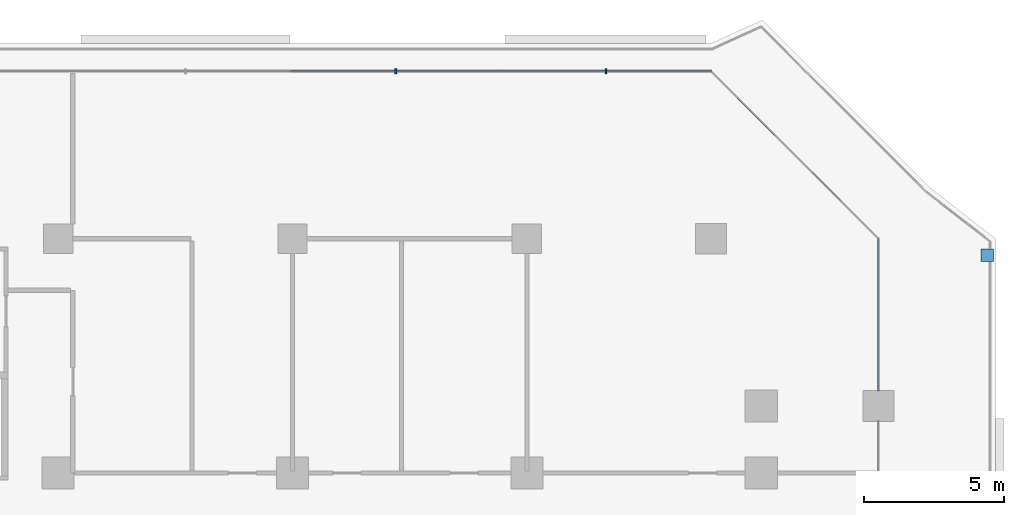
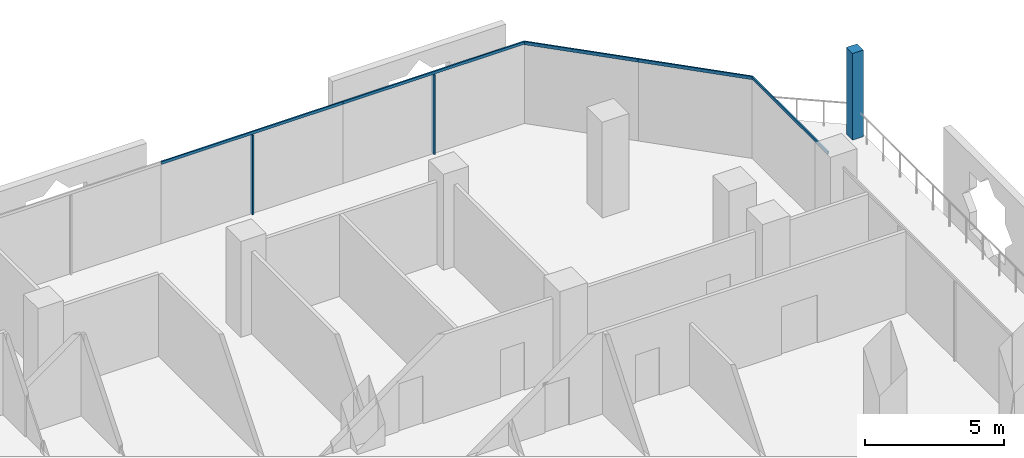
# One storey, part 10 of 25: 8 members, 4 elements without a shape of their own.
"""IFC4 building model written with IfcOpenShell, lengths in metres."""

from ifc_helpers import new_model, si_unit, direction, frame, origin, origin_2d, place, context, subcontext, project, spatial, rectangle, extrude, material, layer, layer_set, material_profile, profile_set, type_object, element, aggregate, save


model = new_model("IFC4")

# Units and contexts
model_context = context("Model", 3, precision=1e-05, world=origin(), true_north=direction((0.0, 1.0)))
body_context = subcontext(model_context, "Body", "Model", "MODEL_VIEW")
ifc_project = project(units=[si_unit("LENGTHUNIT", "METRE"), si_unit("AREAUNIT", "SQUARE_METRE"), si_unit("VOLUMEUNIT", "CUBIC_METRE"), si_unit("PLANEANGLEUNIT", "RADIAN"), si_unit("MASSUNIT", "GRAM", prefix="KILO")], contexts=[model_context])

# Site, building, storey
site_placement = place(None, origin())
site = spatial("IfcSite", under=ifc_project, at=site_placement, CompositionType="ELEMENT")
building_placement = place(site_placement, origin())
building = spatial("IfcBuilding", under=site, at=building_placement, Name="Kawkab Arch Medical Tower", CompositionType="ELEMENT")
storey_placement = place(building_placement, frame((0.0, 0.0, 98.800048828125)))
storey = spatial("IfcBuildingStorey", under=building, at=storey_placement, Name="L22", CompositionType="ELEMENT", Elevation=98.800048828125)

# Curtain wall, members
ifc_material_1 = material(Name="Bronze anodised aluminium curtain wall frame", Category="aluminium")
ifc_layer_1 = layer(ifc_material_1, 0.159912109375)
ifc_layer_set_1 = layer_set([ifc_layer_1], Name="Bronze anodised aluminium curtain wall frame")
curtain_wall_type_1 = type_object("IfcCurtainWallType", Name="CW1 ward curtain wall", PredefinedType="NOTDEFINED", material=ifc_layer_set_1)
placement = place(storey_placement, origin())
curtain_wall_1 = element("IfcCurtainWall", 1, at=placement, inside=storey, type_object=curtain_wall_type_1, Name="CW1 Ward curtain wall R11", PredefinedType="NOTDEFINED")
ifc_material_2 = material(Name="Bronze anodised aluminium curtain wall frame", Category="aluminium")
ifc_material_profile_1 = material_profile(ifc_material_2, rectangle(XDim=0.179931640625, YDim=0.06005859375, at=origin_2d()), Name="AL 60x180")
ifc_profile_set_1 = profile_set([ifc_material_profile_1], Name="Bronze anodised aluminium curtain wall frame")
member_type_1 = type_object("IfcMemberType", Name="CW1 mullion 60 x 180", PredefinedType="MULLION", material=ifc_profile_set_1)
member_1_placement = place(storey_placement, frame((70.033447265625, 6.0, 0.0), z_axis=(0.0, 0.0, 1.0), x_axis=(0.0, -1.0, 0.0)))
member_1 = element("IfcMember", 2, at=member_1_placement, type_object=member_type_1, Name="CW1 mullion 1.1", PredefinedType="MULLION", context=body_context, shape_type="SweptSolid", body=[
    extrude(rectangle(XDim=0.179931640625, YDim=0.06005859375, at=origin_2d()), origin(), (0.0, 0.0, 1.0), 3.47998046875),
])
member_2_placement = place(storey_placement, frame((62.5, 6.0, 0.0), z_axis=(0.0, 0.0, 1.0), x_axis=(0.0, -1.0, 0.0)))
member_2 = element("IfcMember", 3, at=member_2_placement, type_object=member_type_1, Name="CW1 mullion 2.1", PredefinedType="MULLION", context=body_context, shape_type="SweptSolid", body=[
    extrude(rectangle(XDim=0.179931640625, YDim=0.06005859375, at=origin_2d()), origin(), (0.0, 0.0, 1.0), 3.47998046875),
])

# Curtain wall, member
curtain_wall_2 = element("IfcCurtainWall", 4, at=placement, inside=storey, type_object=curtain_wall_type_1, Name="CW1 Ward curtain wall R09", PredefinedType="NOTDEFINED")
ifc_material_3 = material(Name="Bronze anodised aluminium curtain wall frame", Category="aluminium")
ifc_material_profile_2 = material_profile(ifc_material_3, rectangle(XDim=0.06005859375, YDim=0.1201171875, at=origin_2d()), Name="AL 60x120")
ifc_profile_set_2 = profile_set([ifc_material_profile_2], Name="Bronze anodised aluminium curtain wall frame")
member_type_2 = type_object("IfcMemberType", Name="CW1 transom 120 x 60", PredefinedType="USERDEFINED", material=ifc_profile_set_2)
member_3_placement = place(storey_placement, frame((79.800048828125, -5.449951171875, 3.5400390625), z_axis=(0.0, 1.0, 0.0), x_axis=(-1.0, 0.0, 0.0)))
member_3 = element("IfcMember", 5, at=member_3_placement, type_object=member_type_2, Name="CW1 transom 2", ObjectType="TRANSOM", PredefinedType="USERDEFINED", context=body_context, shape_type="SweptSolid", body=[
    extrude(rectangle(XDim=0.06005859375, YDim=0.1201171875, at=origin_2d()), origin(), (0.0, 0.0, 1.0), 5.449951171875),
])
aggregate(curtain_wall_2, [member_3])

# Member
member_4_placement = place(storey_placement, frame((73.800048828125, 6.0, 3.5400390625), z_axis=(-1.0, 0.0, 0.0), x_axis=(0.0, -1.0, 0.0)))
member_4 = element("IfcMember", 6, at=member_4_placement, type_object=member_type_2, Name="CW1 transom 1", ObjectType="TRANSOM", PredefinedType="USERDEFINED", context=body_context, shape_type="SweptSolid", body=[
    extrude(rectangle(XDim=0.06005859375, YDim=0.1201171875, at=origin_2d()), origin(), (0.0, 0.0, 1.0), 7.533447265625),
])

member_5_placement = place(storey_placement, frame((66.2666015625, 6.0, 3.5400390625), z_axis=(-1.0, 0.0, 0.0), x_axis=(0.0, -1.0, 0.0)))
member_5 = element("IfcMember", 7, at=member_5_placement, type_object=member_type_2, Name="CW1 transom 2", ObjectType="TRANSOM", PredefinedType="USERDEFINED", context=body_context, shape_type="SweptSolid", body=[
    extrude(rectangle(XDim=0.06005859375, YDim=0.1201171875, at=origin_2d()), origin(), (0.0, 0.0, 1.0), 7.533203125),
])

aggregate(curtain_wall_1, [member_4, member_1, member_5, member_2])

# Curtain wall, members
ifc_material_4 = material(Name="Bronze anodised aluminium curtain wall frame", Category="aluminium")
ifc_layer_2 = layer(ifc_material_4, 0.159912109375)
ifc_layer_set_2 = layer_set([ifc_layer_2], Name="Bronze anodised aluminium curtain wall frame")
curtain_wall_type_2 = type_object("IfcCurtainWallType", Name="CW2 chamfer curtain wall", PredefinedType="NOTDEFINED", material=ifc_layer_set_2)
curtain_wall_3 = element("IfcCurtainWall", 8, at=placement, inside=storey, type_object=curtain_wall_type_2, Name="CW2 Chamfer curtain wall R10", PredefinedType="NOTDEFINED")
ifc_material_5 = material(Name="Bronze anodised aluminium curtain wall frame", Category="aluminium")
ifc_material_profile_3 = material_profile(ifc_material_5, rectangle(XDim=0.06005859375, YDim=0.139892578125, at=origin_2d()), Name="AL 60x140")
ifc_profile_set_3 = profile_set([ifc_material_profile_3], Name="Bronze anodised aluminium curtain wall frame")
member_type_3 = type_object("IfcMemberType", Name="CW2 transom 140 x 60", PredefinedType="USERDEFINED", material=ifc_profile_set_3)
member_6_placement = place(storey_placement, frame((79.800048828125, 0.0, 3.530029296875), z_axis=(-0.707106781187, 0.707106781187, 0.0), x_axis=(-0.707106781187, -0.707106781187, 0.0)))
member_6 = element("IfcMember", 9, at=member_6_placement, type_object=member_type_3, Name="CW2 transom 1", ObjectType="TRANSOM", PredefinedType="USERDEFINED", context=body_context, shape_type="SweptSolid", body=[
    extrude(rectangle(XDim=0.06005859375, YDim=0.139892578125, at=origin_2d()), origin(), (0.0, 0.0, 1.0), 4.24267578125),
])
member_7_placement = place(storey_placement, frame((76.800048828125, 3.0, 3.530029296875), z_axis=(-0.707106781187, 0.707106781187, 0.0), x_axis=(-0.707106781187, -0.707106781187, 0.0)))
member_7 = element("IfcMember", 10, at=member_7_placement, type_object=member_type_3, Name="CW2 transom 2", ObjectType="TRANSOM", PredefinedType="USERDEFINED", context=body_context, shape_type="SweptSolid", body=[
    extrude(rectangle(XDim=0.06005859375, YDim=0.139892578125, at=origin_2d()), origin(), (0.0, 0.0, 1.0), 4.24267578125),
])
aggregate(curtain_wall_3, [member_6, member_7])

# Curtain wall, member
ifc_material_6 = material(Name="Bronze anodised aluminium climber frame, planted", Category="aluminium")
ifc_layer_3 = layer(ifc_material_6, 0.449951171875)
ifc_layer_set_3 = layer_set([ifc_layer_3], Name="Bronze anodised aluminium climber frame, planted")
curtain_wall_type_3 = type_object("IfcCurtainWallType", Name="Planted climber frame", PredefinedType="NOTDEFINED", material=ifc_layer_set_3)
curtain_wall_4 = element("IfcCurtainWall", 11, at=placement, inside=storey, type_object=curtain_wall_type_3, Name="Planted climber frame L22", PredefinedType="NOTDEFINED")
ifc_material_7 = material(Name="Bronze anodised aluminium climber frame, planted", Category="aluminium")
ifc_material_profile_4 = material_profile(ifc_material_7, rectangle(XDim=0.449951171875, YDim=0.449951171875, at=origin_2d()), Name="Post 450x450")
ifc_profile_set_4 = profile_set([ifc_material_profile_4], Name="Bronze anodised aluminium climber frame, planted")
member_type_4 = type_object("IfcMemberType", Name="Planted climber post 450 x 450", PredefinedType="MULLION", material=ifc_profile_set_4)
member_8_placement = place(storey_placement, frame((83.699951171875, -0.596923828125, 0.0), z_axis=(0.0, 0.0, 1.0), x_axis=(1.0, 0.0, 0.0)))
member_8 = element("IfcMember", 12, at=member_8_placement, type_object=member_type_4, Name="Planted climber post L22.LOG-01-01.3", PredefinedType="MULLION", context=body_context, shape_type="SweptSolid", body=[
    extrude(rectangle(XDim=0.449951171875, YDim=0.449951171875, at=origin_2d()), origin(), (0.0, 0.0, 1.0), 3.800048828125),
])
aggregate(curtain_wall_4, [member_8])

save(model, "model.ifc")
